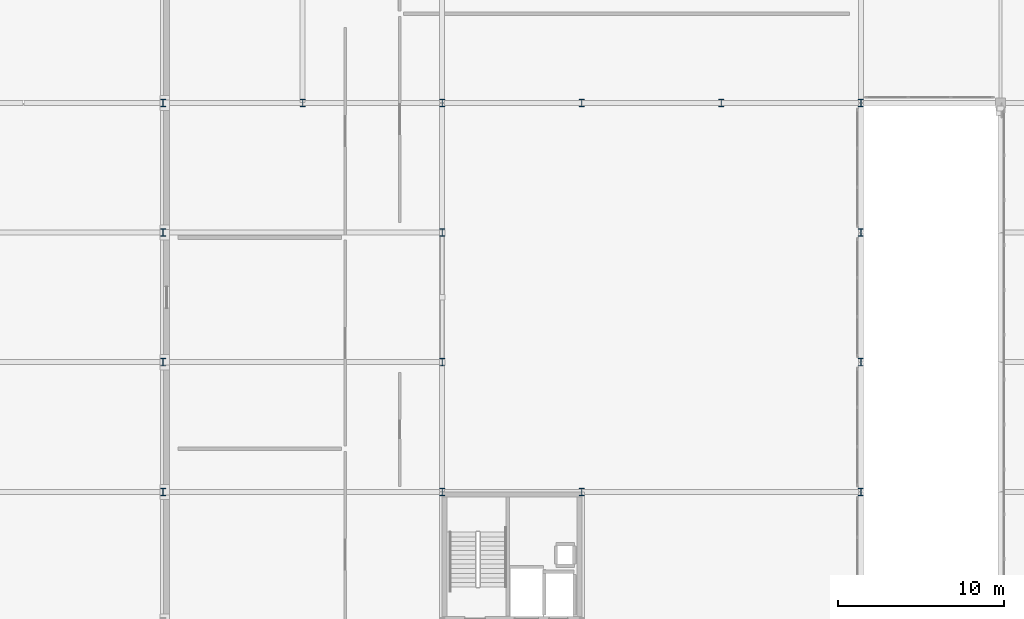
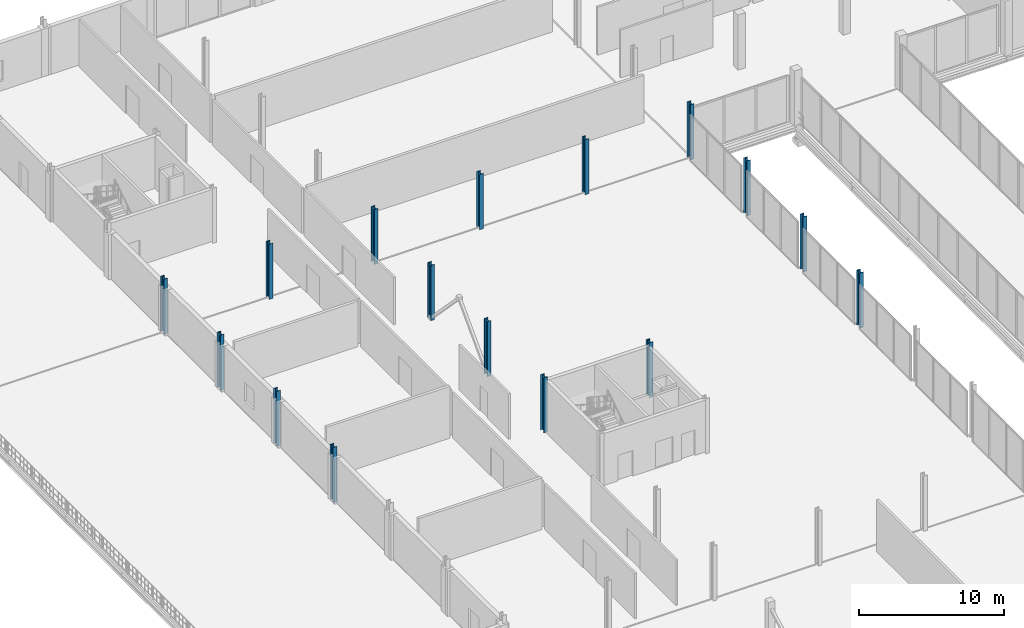
# One storey, part 7 of 98: 16 columns.
"""IFC4 building model written with IfcOpenShell, lengths in metres."""

from ifc_helpers import new_model, si_unit, direction, frame, origin, origin_2d, place, context, subcontext, project, spatial, i_section, extrude, material, material_profile, profile_set, type_object, element, save


model = new_model("IFC4")

# Units and contexts
model_context = context("Model", 3, precision=1e-05, world=origin(), true_north=direction((0.0, 1.0)))
body_context = subcontext(model_context, "Body", "Model", "MODEL_VIEW")
ifc_project = project(units=[si_unit("LENGTHUNIT", "METRE"), si_unit("AREAUNIT", "SQUARE_METRE"), si_unit("VOLUMEUNIT", "CUBIC_METRE"), si_unit("PLANEANGLEUNIT", "RADIAN"), si_unit("MASSUNIT", "GRAM", prefix="KILO")], contexts=[model_context])

# Site, building, storey
site_placement = place(None, origin())
site = spatial("IfcSite", under=ifc_project, at=site_placement, CompositionType="ELEMENT")
building_placement = place(site_placement, origin())
building = spatial("IfcBuilding", under=site, at=building_placement, Name="Nabrawat Pavilion Hospital", CompositionType="ELEMENT")
storey_placement = place(building_placement, frame((0.0, 0.0, 10.199951171875)))
storey = spatial("IfcBuildingStorey", under=building, at=storey_placement, Name="L02", CompositionType="ELEMENT", Elevation=10.199951171875)

# Columns
ifc_material = material(Name="Steel S355", Category="steel")
ifc_material_profile = material_profile(ifc_material, i_section(OverallWidth=0.300048828125, OverallDepth=0.449951171875, WebThickness=0.013916015625, FlangeThickness=0.02587890625, FilletRadius=0.027099609375, at=origin_2d()), Name="HEB 450")
ifc_profile_set = profile_set([ifc_material_profile], Name="Steel S355")
column_type = type_object("IfcColumnType", Name="Composite Steel Column HEB 450", PredefinedType="COLUMN", material=ifc_profile_set)
for number, where, z_axis, x_axis, name in (
    (1, (16.800048828125, 62.39990234375, 0.0), (0.0, 0.0, 1.0), (1.0, 0.0, 0.0), "L02 Structural Column G-3-J"),
    (2, (16.800048828125, 70.199951171875, 0.0), (0.0, 0.0, 1.0), (1.0, 0.0, 0.0), "L02 Structural Column G-3-K"),
    (3, (16.800048828125, 78.0, 0.0), (0.0, 0.0, 1.0), (1.0, 0.0, 0.0), "L02 Structural Column G-3-L"),
    (4, (16.800048828125, 85.800048828125, 0.0), (0.0, 0.0, 1.0), (1.0, 0.0, 0.0), "L02 Structural Column G-3-M1"),
    (5, (25.199951171875, 85.800048828125, 0.0), (0.0, 0.0, 1.0), (1.0, 0.0, 0.0), "L02 Structural Column G-4-M1"),
    (6, (33.60009765625, 62.39990234375, 0.0), (0.0, 0.0, 1.0), (1.0, 0.0, 0.0), "L02 Structural Column G-5-J"),
    (7, (33.60009765625, 70.199951171875, 0.0), (0.0, 0.0, 1.0), (1.0, 0.0, 0.0), "L02 Structural Column G-5-K"),
    (8, (33.60009765625, 78.0, 0.0), (0.0, 0.0, 1.0), (1.0, 0.0, 0.0), "L02 Structural Column G-5-L"),
    (9, (33.60009765625, 85.800048828125, 0.0), (0.0, 0.0, 1.0), (1.0, 0.0, 0.0), "L02 Structural Column G-5-M1"),
    (10, (42.0, 62.39990234375, 0.0), (0.0, 0.0, 1.0), (1.0, 0.0, 0.0), "L02 Structural Column G-6-J"),
    (11, (42.0, 85.800048828125, 0.0), (0.0, 0.0, 1.0), (1.0, 0.0, 0.0), "L02 Structural Column G-6-M1"),
    (12, (50.39990234375, 85.800048828125, 0.0), (0.0, 0.0, 1.0), (1.0, 0.0, 0.0), "L02 Structural Column G-7-M1"),
    (13, (58.800048828125, 62.39990234375, 0.0), (0.0, 0.0, 1.0), (1.0, 0.0, 0.0), "L02 Structural Column G-8A-J"),
    (14, (58.800048828125, 70.199951171875, 0.0), (0.0, 0.0, 1.0), (1.0, 0.0, 0.0), "L02 Structural Column G-8A-K"),
    (15, (58.800048828125, 78.0, 0.0), (0.0, 0.0, 1.0), (1.0, 0.0, 0.0), "L02 Structural Column G-8A-L"),
    (16, (58.800048828125, 85.800048828125, 0.0), (0.0, 0.0, 1.0), (1.0, 0.0, 0.0), "L02 Structural Column G-8A-M1"),
):
    element("IfcColumn", number, at=place(storey_placement, frame(where, z_axis=z_axis, x_axis=x_axis)), inside=storey, type_object=column_type, Name=name, PredefinedType="COLUMN", context=body_context, shape_type="SweptSolid", body=[
        extrude(i_section(OverallWidth=0.300048828125, OverallDepth=0.449951171875, WebThickness=0.013916015625, FlangeThickness=0.02587890625, FilletRadius=0.027099609375, at=origin_2d()), origin(), (0.0, 0.0, 1.0), 4.650146484375),
    ])

save(model, "model.ifc")
